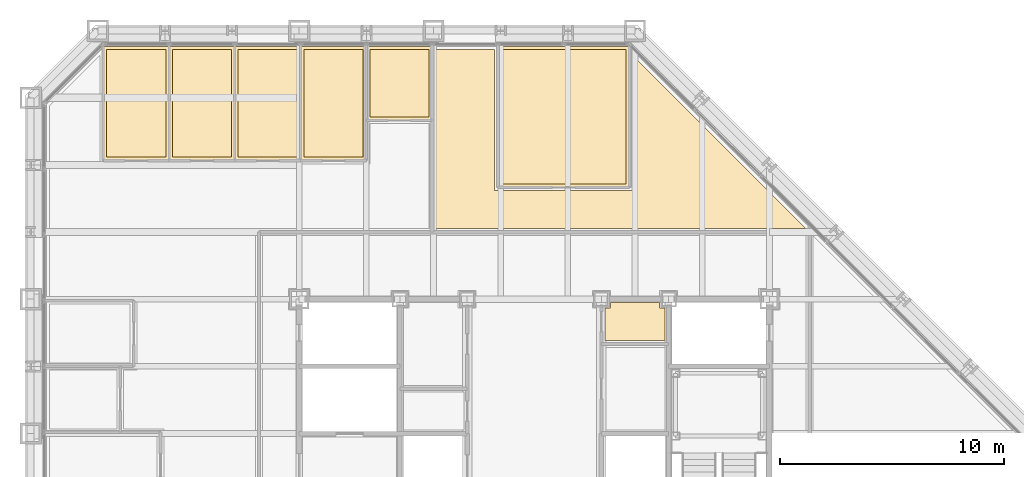
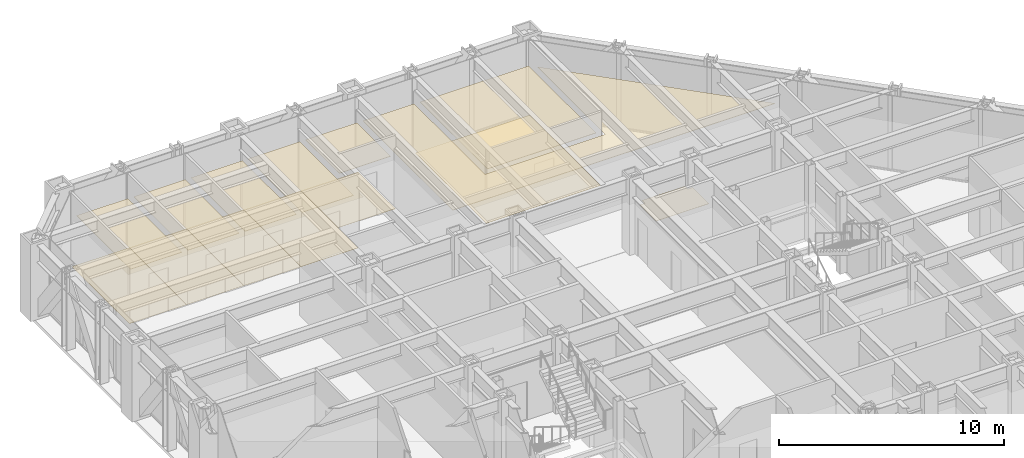
# One storey, part 16 of 16: 14 coverings.
"""IFC4 building model written with IfcOpenShell, lengths in metres."""

from ifc_helpers import new_model, si_unit, direction, frame, origin, place, context, subcontext, project, spatial, polyline, outline, extrude, material, layer, layer_set, type_object, element, save


model = new_model("IFC4")

# Units and contexts
model_context = context("Model", 3, precision=1e-05, world=origin(), true_north=direction((0.0, 1.0)))
body_context = subcontext(model_context, "Body", "Model", "MODEL_VIEW")
ifc_project = project(units=[si_unit("LENGTHUNIT", "METRE"), si_unit("AREAUNIT", "SQUARE_METRE"), si_unit("VOLUMEUNIT", "CUBIC_METRE"), si_unit("PLANEANGLEUNIT", "RADIAN"), si_unit("MASSUNIT", "GRAM", prefix="KILO")], contexts=[model_context])

# Site, building, storey
site_placement = place(None, origin())
site = spatial("IfcSite", under=ifc_project, at=site_placement, CompositionType="ELEMENT")
building_placement = place(site_placement, origin())
building = spatial("IfcBuilding", under=site, at=building_placement, Name="Chuquiago Exchange Tower", CompositionType="ELEMENT")
storey_placement = place(building_placement, frame((0.0, 0.0, 119.39990234375)))
storey = spatial("IfcBuildingStorey", under=building, at=storey_placement, Name="L25", CompositionType="ELEMENT", Elevation=119.39990234375)

# Coverings
ifc_material_1 = material(Name="Mineral fibre tile, 600 x 600, on pale metal grid", Category="mineral fibre")
ifc_layer_1 = layer(ifc_material_1, 0.02001953125)
ifc_layer_set_1 = layer_set([ifc_layer_1], Name="CL1 suspended tile ceiling 20")
covering_type_1 = type_object("IfcCoveringType", Name="CL1 suspended tile ceiling 20", PredefinedType="CEILING", material=ifc_layer_set_1)
covering_1_placement = place(storey_placement, frame((0.0, 0.0, 2.800048828125)))
element("IfcCovering", 1, at=covering_1_placement, inside=storey, type_object=covering_type_1, Name="Ceiling Office", PredefinedType="CEILING", context=body_context, shape_type="SweptSolid", body=[
    extrude(outline(polyline([(6.036376953125, 44.14990234375), (6.036376953125, 39.35009765625), (3.3984375, 39.35009765625), (3.3984375, 44.14990234375), (6.036376953125, 44.14990234375)])), origin(), (0.0, 0.0, 1.0), 0.02001953125),
])
covering_2_placement = place(storey_placement, frame((0.0, 0.0, 2.800048828125)))
element("IfcCovering", 2, at=covering_2_placement, inside=storey, type_object=covering_type_1, Name="Ceiling Office", PredefinedType="CEILING", context=body_context, shape_type="SweptSolid", body=[
    extrude(outline(polyline([(8.974365234375, 39.35009765625), (6.33642578125, 39.35009765625), (6.33642578125, 44.14990234375), (8.974365234375, 44.14990234375), (8.974365234375, 39.35009765625)])), origin(), (0.0, 0.0, 1.0), 0.02001953125),
])
covering_3_placement = place(storey_placement, frame((0.0, 0.0, 2.800048828125)))
element("IfcCovering", 3, at=covering_3_placement, inside=storey, type_object=covering_type_1, Name="Ceiling Office", PredefinedType="CEILING", context=body_context, shape_type="SweptSolid", body=[
    extrude(outline(polyline([(11.912109375, 39.35009765625), (9.2744140625, 39.35009765625), (9.2744140625, 44.14990234375), (11.912109375, 44.14990234375), (11.912109375, 39.35009765625)])), origin(), (0.0, 0.0, 1.0), 0.02001953125),
])
covering_4_placement = place(storey_placement, frame((0.0, 0.0, 2.800048828125)))
element("IfcCovering", 4, at=covering_4_placement, inside=storey, type_object=covering_type_1, Name="Ceiling Meeting room", PredefinedType="CEILING", context=body_context, shape_type="SweptSolid", body=[
    extrude(outline(polyline([(14.85009765625, 39.35009765625), (12.212158203125, 39.35009765625), (12.212158203125, 44.14990234375), (14.85009765625, 44.14990234375), (14.85009765625, 39.35009765625)])), origin(), (0.0, 0.0, 1.0), 0.02001953125),
])
covering_5_placement = place(storey_placement, frame((0.0, 0.0, 2.800048828125)))
element("IfcCovering", 5, at=covering_5_placement, inside=storey, type_object=covering_type_1, Name="Ceiling Focus room", PredefinedType="CEILING", context=body_context, shape_type="SweptSolid", body=[
    extrude(outline(polyline([(17.787841796875, 41.14990234375), (15.14990234375, 41.14990234375), (15.14990234375, 44.14990234375), (17.787841796875, 44.14990234375), (17.787841796875, 41.14990234375)])), origin(), (0.0, 0.0, 1.0), 0.02001953125),
])
covering_6_placement = place(storey_placement, frame((0.0, 0.0, 2.800048828125)))
element("IfcCovering", 6, at=covering_6_placement, inside=storey, type_object=covering_type_1, Name="Ceiling Risk management office", PredefinedType="CEILING", context=body_context, shape_type="SweptSolid", body=[
    extrude(outline(polyline([(26.6015625, 38.14990234375), (21.025634765625, 38.14990234375), (21.025634765625, 44.14990234375), (26.6015625, 44.14990234375), (26.6015625, 38.14990234375)])), origin(), (0.0, 0.0, 1.0), 0.02001953125),
])
covering_7_placement = place(storey_placement, frame((0.0, 0.0, 2.800048828125)))
element("IfcCovering", 7, at=covering_7_placement, inside=storey, type_object=covering_type_1, Name="Ceiling Open office east suite", PredefinedType="CEILING", context=body_context, shape_type="SweptSolid", body=[
    extrude(outline(polyline([(20.7255859375, 37.85009765625), (26.901611328125, 37.85009765625), (26.901611328125, 43.896484375), (34.64794921875, 36.150146484375), (18.08837890625, 36.150390625), (18.08837890625, 44.14990234375), (20.7255859375, 44.14990234375), (20.7255859375, 37.85009765625)])), origin(), (0.0, 0.0, 1.0), 0.02001953125),
])
ifc_material_2 = material(Name="Moisture resistant plasterboard on metal frame", Category="gypsum")
ifc_layer_2 = layer(ifc_material_2, 0.014892578125)
ifc_layer_set_2 = layer_set([ifc_layer_2], Name="CL2 moisture resistant ceiling 15")
covering_type_2 = type_object("IfcCoveringType", Name="CL2 moisture resistant ceiling 15", PredefinedType="CEILING", material=ifc_layer_set_2)
covering_8_placement = place(storey_placement, frame((0.0, 0.0, 2.60009765625)))
element("IfcCovering", 8, at=covering_8_placement, inside=storey, type_object=covering_type_2, Name="Ceiling Staff shower room", PredefinedType="CEILING", context=body_context, shape_type="SweptSolid", body=[
    extrude(outline(polyline([(25.64990234375, 31.14990234375), (25.64990234375, 32.60009765625), (25.89990234375, 32.60009765625), (25.89990234375, 32.85009765625), (28.10009765625, 32.85009765625), (28.10009765625, 32.60009765625), (28.35009765625, 32.60009765625), (28.35009765625, 31.14990234375), (25.64990234375, 31.14990234375)])), origin(), (0.0, 0.0, 1.0), 0.014892578125),
])
ifc_material_3 = material(Name="Carpet tile, 500 x 500, on the floor slab", Category="textile")
ifc_layer_3 = layer(ifc_material_3, 0.010009765625)
ifc_layer_set_3 = layer_set([ifc_layer_3], Name="FL1 carpet tile 10")
covering_type_3 = type_object("IfcCoveringType", Name="FL1 carpet tile 10", PredefinedType="FLOORING", material=ifc_layer_set_3)
covering_9_placement = place(storey_placement, origin())
element("IfcCovering", 9, at=covering_9_placement, inside=storey, type_object=covering_type_3, Name="Floor finish Office", PredefinedType="FLOORING", context=body_context, shape_type="SweptSolid", body=[
    extrude(outline(polyline([(3.289794921875, 44.300048828125), (6.186279296875, 44.300048828125), (6.186279296875, 39.199951171875), (3.24853515625, 39.199951171875), (3.24853515625, 44.258544921875), (3.289794921875, 44.300048828125)])), origin(), (0.0, 0.0, 1.0), 0.010009765625),
])
covering_10_placement = place(storey_placement, origin())
element("IfcCovering", 10, at=covering_10_placement, inside=storey, type_object=covering_type_3, Name="Floor finish Office", PredefinedType="FLOORING", context=body_context, shape_type="SweptSolid", body=[
    extrude(outline(polyline([(9.124267578125, 44.300048828125), (9.124267578125, 39.199951171875), (6.186279296875, 39.199951171875), (6.186279296875, 44.300048828125), (9.124267578125, 44.300048828125)])), origin(), (0.0, 0.0, 1.0), 0.010009765625),
])
covering_11_placement = place(storey_placement, origin())
element("IfcCovering", 11, at=covering_11_placement, inside=storey, type_object=covering_type_3, Name="Floor finish Office", PredefinedType="FLOORING", context=body_context, shape_type="SweptSolid", body=[
    extrude(outline(polyline([(12.06201171875, 44.300048828125), (12.06201171875, 39.199951171875), (9.124267578125, 39.199951171875), (9.124267578125, 44.300048828125), (12.06201171875, 44.300048828125)])), origin(), (0.0, 0.0, 1.0), 0.010009765625),
])
covering_12_placement = place(storey_placement, origin())
element("IfcCovering", 12, at=covering_12_placement, inside=storey, type_object=covering_type_3, Name="Floor finish Meeting room", PredefinedType="FLOORING", context=body_context, shape_type="SweptSolid", body=[
    extrude(outline(polyline([(15.0, 44.300048828125), (15.0, 39.199951171875), (12.06201171875, 39.199951171875), (12.06201171875, 44.300048828125), (15.0, 44.300048828125)])), origin(), (0.0, 0.0, 1.0), 0.010009765625),
])
covering_13_placement = place(storey_placement, origin())
element("IfcCovering", 13, at=covering_13_placement, inside=storey, type_object=covering_type_3, Name="Floor finish Focus room", PredefinedType="FLOORING", context=body_context, shape_type="SweptSolid", body=[
    extrude(outline(polyline([(17.93798828125, 44.300048828125), (17.93798828125, 41.0), (15.0, 41.0), (15.0, 44.300048828125), (17.93798828125, 44.300048828125)])), origin(), (0.0, 0.0, 1.0), 0.010009765625),
])
covering_14_placement = place(storey_placement, origin())
element("IfcCovering", 14, at=covering_14_placement, inside=storey, type_object=covering_type_3, Name="Floor finish Risk management office", PredefinedType="FLOORING", context=body_context, shape_type="SweptSolid", body=[
    extrude(outline(polyline([(26.710205078125, 44.300048828125), (26.75146484375, 44.258544921875), (26.75146484375, 38.0), (20.875732421875, 38.0), (20.875732421875, 44.300048828125), (26.710205078125, 44.300048828125)])), origin(), (0.0, 0.0, 1.0), 0.010009765625),
])

save(model, "model.ifc")
